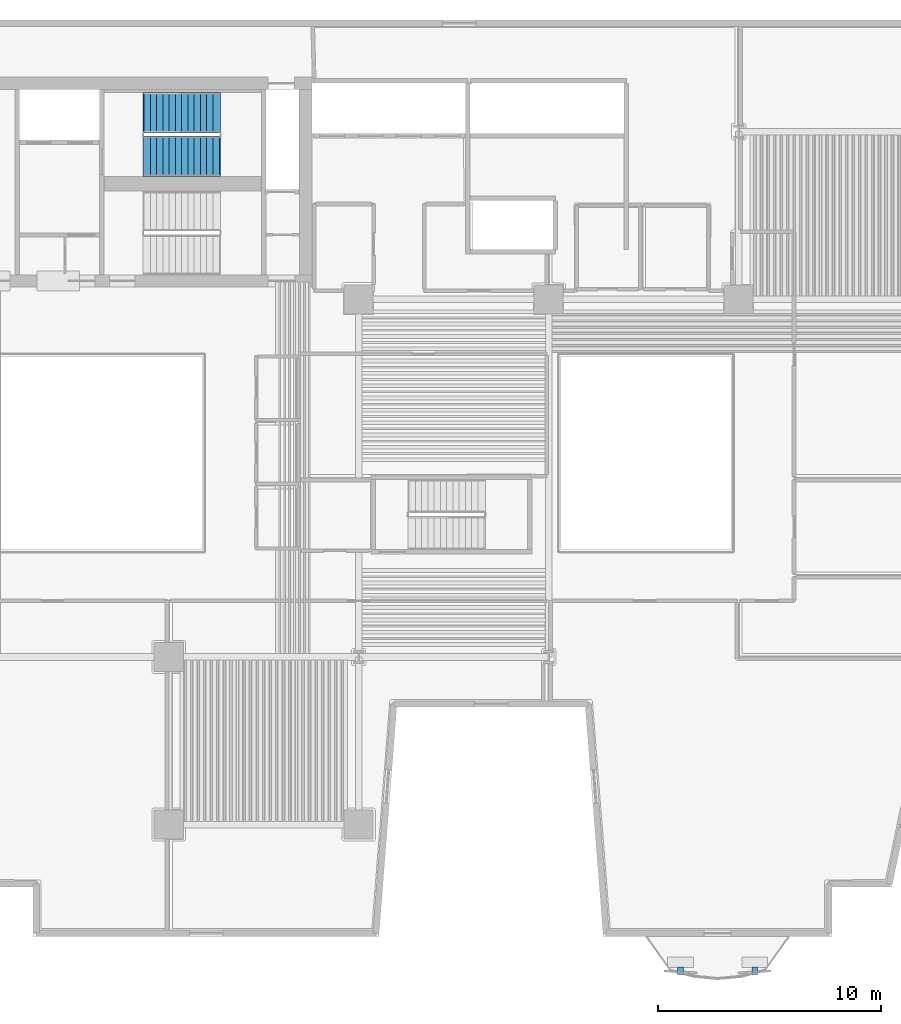
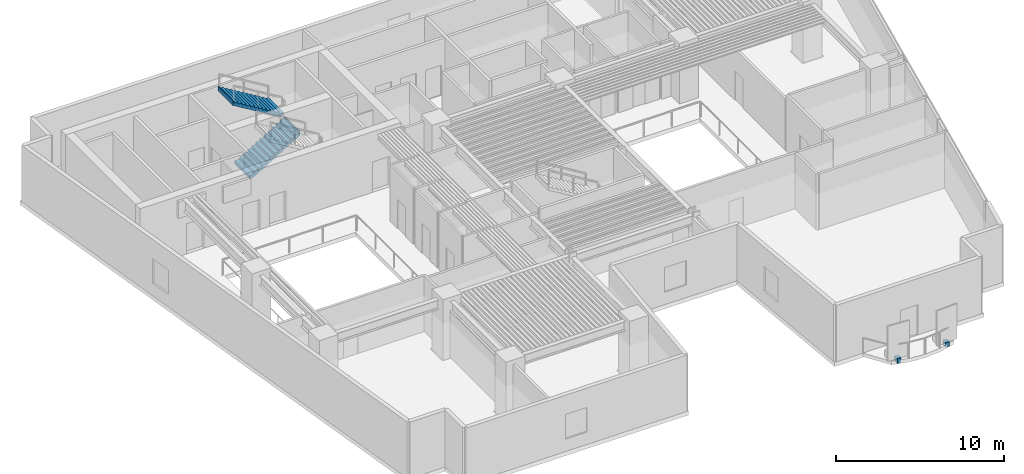
# One storey, part 7 of 12: 2 discrete accessories, 2 stair flights, 1 element without a shape of its own.
"""IFC4 building model written with IfcOpenShell, lengths in metres."""

from ifc_helpers import new_model, si_unit, direction, frame, origin, origin_2d, place, context, subcontext, project, spatial, polyline, rectangle, outline, extrude, material, type_object, element, aggregate, save


model = new_model("IFC4")

# Units and contexts
model_context = context("Model", 3, precision=1e-05, world=origin(), true_north=direction((0.0, 1.0)))
body_context = subcontext(model_context, "Body", "Model", "MODEL_VIEW")
ifc_project = project(units=[si_unit("LENGTHUNIT", "METRE"), si_unit("AREAUNIT", "SQUARE_METRE"), si_unit("VOLUMEUNIT", "CUBIC_METRE"), si_unit("PLANEANGLEUNIT", "RADIAN"), si_unit("MASSUNIT", "GRAM", prefix="KILO")], contexts=[model_context])

# Site, building, storey
site_placement = place(None, origin())
site = spatial("IfcSite", under=ifc_project, at=site_placement, CompositionType="ELEMENT")
building_placement = place(site_placement, origin())
building = spatial("IfcBuilding", under=site, at=building_placement, Name="Caeloran Harvest Quay", CompositionType="ELEMENT")
storey_placement = place(building_placement, frame((0.0, 0.0, 31.39990234375)))
storey = spatial("IfcBuildingStorey", under=building, at=storey_placement, Name="L07", CompositionType="ELEMENT", Elevation=31.39990234375)

# Stair, stair flights
ifc_material_1 = material(Name="Concrete C50/60", Category="concrete")
stair_type = type_object("IfcStairType", Name="STAIR-STC-180", PredefinedType="HALF_TURN_STAIR", material=ifc_material_1)
stair_placement = place(storey_placement, origin())
stair = element("IfcStair", 1, at=stair_placement, inside=storey, type_object=stair_type, Name="L07 Core Pressurized Exit Stair ST-C1", PredefinedType="HALF_TURN_STAIR")
stair_flight_type = type_object("IfcStairFlightType", Name="FLIGHT-STC-180", PredefinedType="STRAIGHT", material=ifc_material_1)
stair_flight_1_placement = place(storey_placement, frame((15.89990234375, 37.39990234375, 0.0), z_axis=(0.0, 0.0, 1.0), x_axis=(1.0, 0.0, 0.0)))
stair_flight_1 = element("IfcStairFlight", 2, at=stair_flight_1_placement, type_object=stair_flight_type, Name="ST-C1 flight 1", NumberOfRisers=13, NumberOfTreads=12, PredefinedType="STRAIGHT", RiserHeight=0.169230769, TreadLength=0.28, context=body_context, shape_type="SweptSolid", body=[
    extrude(outline(polyline([(-0.054931640625, -0.044921875), (-0.054931640625, -0.031494140625), (-0.054931640625, -0.018310546875), (-0.054931640625, -0.0048828125), (-0.054931640625, 0.008544921875), (-0.054931640625, 0.02197265625), (-0.054931640625, 0.035400390625), (-0.054931640625, 0.048828125), (-0.054931640625, 0.06201171875), (-0.054931640625, 0.075439453125), (-0.054931640625, 0.0888671875), (-0.054931640625, 0.102294921875), (-0.054931640625, 0.11572265625), (-0.054931640625, 0.129150390625), (-0.054931640625, 0.142333984375), (-0.054931640625, 0.15576171875), (-0.054931640625, 0.169189453125), (0.280029296875, 0.169189453125), (0.280029296875, 0.33837890625), (0.56005859375, 0.33837890625), (0.56005859375, 0.5078125), (0.840087890625, 0.5078125), (0.840087890625, 0.677001953125), (1.1201171875, 0.677001953125), (1.1201171875, 0.84619140625), (1.39990234375, 0.84619140625), (1.39990234375, 1.015380859375), (1.679931640625, 1.015380859375), (1.679931640625, 1.1845703125), (1.9599609375, 1.1845703125), (1.9599609375, 1.353759765625), (2.239990234375, 1.353759765625), (2.239990234375, 1.523193359375), (2.52001953125, 1.523193359375), (2.52001953125, 1.6923828125), (2.800048828125, 1.6923828125), (2.800048828125, 1.861572265625), (3.080078125, 1.861572265625), (3.080078125, 2.03076171875), (3.360107421875, 2.03076171875), (3.360107421875, 2.199951171875), (3.4150390625, 2.199951171875), (3.4150390625, 2.178466796875), (3.4150390625, 2.156982421875), (3.4150390625, 2.135498046875), (3.4150390625, 2.114013671875), (3.4150390625, 2.09228515625), (3.4150390625, 2.07080078125), (3.4150390625, 2.04931640625), (3.4150390625, 2.02783203125), (3.4150390625, 2.00634765625), (3.4150390625, 1.98486328125), (3.4150390625, 1.963134765625), (3.4150390625, 1.941650390625), (3.4150390625, 1.920166015625), (3.4150390625, 1.898681640625), (3.4150390625, 1.877197265625), (3.4150390625, 1.855712890625), (3.360107421875, 1.855712890625), (0.21533203125, -0.044921875), (-0.054931640625, -0.044921875)])), frame((0.0, 0.89990234375, 0.0), z_axis=(0.0, -1.0, 0.0), x_axis=(1.0, 0.0, 0.0)), (0.0, 0.0, 1.0), 1.800048828125),
])
stair_flight_2_placement = place(storey_placement, frame((19.260009765625, 39.35009765625, 2.2001953125), z_axis=(0.0, 0.0, 1.0), x_axis=(-1.0, 0.0, 0.0)))
stair_flight_2 = element("IfcStairFlight", 3, at=stair_flight_2_placement, type_object=stair_flight_type, Name="ST-C1 flight 2", NumberOfRisers=13, NumberOfTreads=12, PredefinedType="STRAIGHT", RiserHeight=0.169230769, TreadLength=0.28, context=body_context, shape_type="SweptSolid", body=[
    extrude(outline(polyline([(-0.054931640625, -0.044921875), (-0.054931640625, -0.031494140625), (-0.054931640625, -0.018310546875), (-0.054931640625, -0.0048828125), (-0.054931640625, 0.008544921875), (-0.054931640625, 0.02197265625), (-0.054931640625, 0.035400390625), (-0.054931640625, 0.048828125), (-0.054931640625, 0.06201171875), (-0.054931640625, 0.075439453125), (-0.054931640625, 0.0888671875), (-0.054931640625, 0.102294921875), (-0.054931640625, 0.11572265625), (-0.054931640625, 0.129150390625), (-0.054931640625, 0.142333984375), (-0.054931640625, 0.15576171875), (-0.054931640625, 0.169189453125), (0.280029296875, 0.169189453125), (0.280029296875, 0.33837890625), (0.56005859375, 0.33837890625), (0.56005859375, 0.5078125), (0.840087890625, 0.5078125), (0.840087890625, 0.677001953125), (1.1201171875, 0.677001953125), (1.1201171875, 0.84619140625), (1.39990234375, 0.84619140625), (1.39990234375, 1.015380859375), (1.679931640625, 1.015380859375), (1.679931640625, 1.1845703125), (1.9599609375, 1.1845703125), (1.9599609375, 1.353759765625), (2.239990234375, 1.353759765625), (2.239990234375, 1.523193359375), (2.52001953125, 1.523193359375), (2.52001953125, 1.6923828125), (2.800048828125, 1.6923828125), (2.800048828125, 1.861572265625), (3.080078125, 1.861572265625), (3.080078125, 2.03076171875), (3.360107421875, 2.03076171875), (3.360107421875, 2.199951171875), (3.4150390625, 2.199951171875), (3.4150390625, 2.178466796875), (3.4150390625, 2.156982421875), (3.4150390625, 2.135498046875), (3.4150390625, 2.114013671875), (3.4150390625, 2.09228515625), (3.4150390625, 2.07080078125), (3.4150390625, 2.04931640625), (3.4150390625, 2.02783203125), (3.4150390625, 2.00634765625), (3.4150390625, 1.98486328125), (3.4150390625, 1.963134765625), (3.4150390625, 1.941650390625), (3.4150390625, 1.920166015625), (3.4150390625, 1.898681640625), (3.4150390625, 1.877197265625), (3.4150390625, 1.855712890625), (3.360107421875, 1.855712890625), (0.21533203125, -0.044921875), (-0.054931640625, -0.044921875)])), frame((0.0, 0.89990234375, 0.0), z_axis=(0.0, -1.0, 0.0), x_axis=(1.0, 0.0, 0.0)), (0.0, 0.0, 1.0), 1.800048828125),
])
aggregate(stair, [stair_flight_1, stair_flight_2])

# Discrete accessories
ifc_material_2 = material(Name="Stainless Steel Grade 316L", Category="steel")
discrete_accessory_type = type_object("IfcDiscreteAccessoryType", Name="BRACKET-SCREEN-SS", PredefinedType="BRACKET", material=ifc_material_2)
for number, where, z_axis, x_axis, name in (
    (4, (43.218505859375, 0.96337890625, -0.2197265625), (0.0, 0.0, 1.0), (1.0, 0.0, 0.0), "L07 Balcony Screen Support Bracket 1"),
    (5, (39.8984375, 0.96337890625, -0.2197265625), (0.0, 0.0, 1.0), (1.0, 0.0, 0.0), "L07 Balcony Screen Support Bracket 2"),
):
    element("IfcDiscreteAccessory", number, at=place(storey_placement, frame(where, z_axis=z_axis, x_axis=x_axis)), inside=storey, type_object=discrete_accessory_type, Name=name, PredefinedType="BRACKET", context=body_context, shape_type="SweptSolid", body=[
        extrude(rectangle(XDim=0.260009765625, YDim=0.340087890625, at=origin_2d()), origin(), (0.0, 0.0, 1.0), 0.360107421875),
    ])

save(model, "model.ifc")
